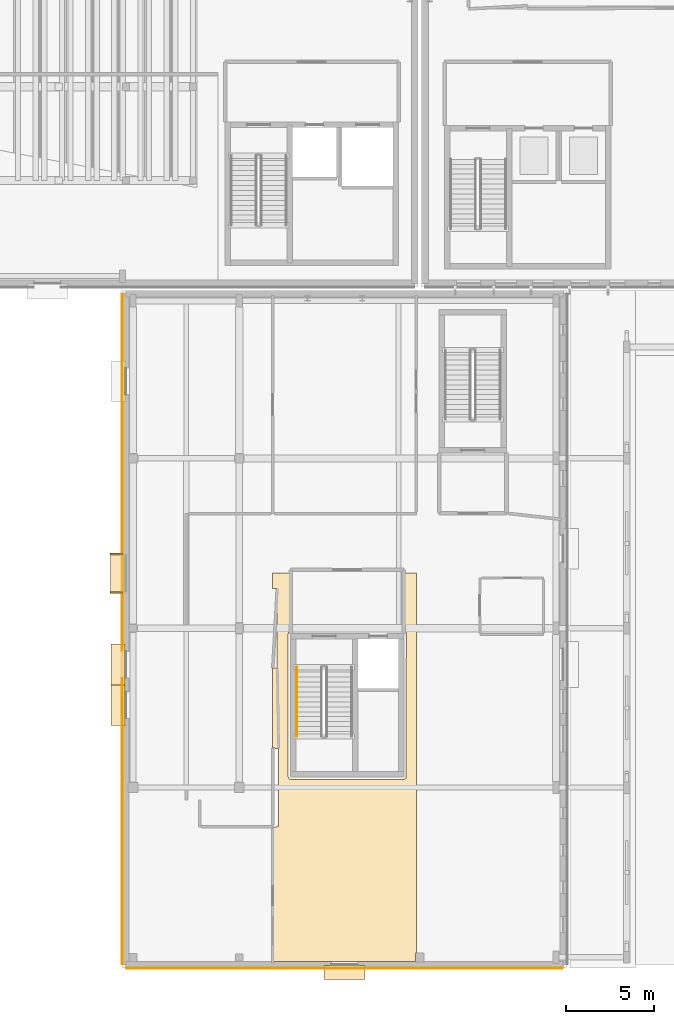
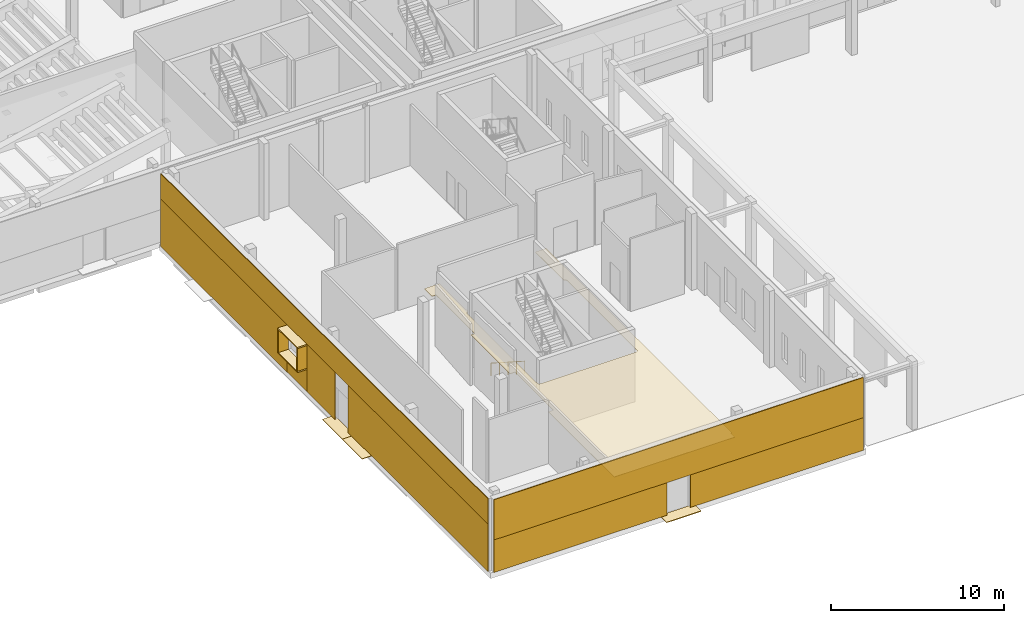
# One storey, part 57 of 84: 16 coverings, 1 railing.
"""IFC4 building model written with IfcOpenShell, lengths in metres."""

from ifc_helpers import new_model, si_unit, direction, frame, origin, origin_2d, place, context, subcontext, project, spatial, polyline, rectangle, circle, outline, extrude, material, layer, layer_set, type_object, element, save


model = new_model("IFC4")

# Units and contexts
model_context = context("Model", 3, precision=1e-05, world=origin(), true_north=direction((0.0, 1.0)))
body_context = subcontext(model_context, "Body", "Model", "MODEL_VIEW")
ifc_project = project(units=[si_unit("LENGTHUNIT", "METRE"), si_unit("AREAUNIT", "SQUARE_METRE"), si_unit("VOLUMEUNIT", "CUBIC_METRE"), si_unit("PLANEANGLEUNIT", "RADIAN"), si_unit("MASSUNIT", "GRAM", prefix="KILO")], contexts=[model_context])

# Site, building, storey
site_placement = place(None, origin())
site = spatial("IfcSite", under=ifc_project, at=site_placement, CompositionType="ELEMENT")
building_placement = place(site_placement, origin())
building = spatial("IfcBuilding", under=site, at=building_placement, Name="Mzevani Central Library", CompositionType="ELEMENT")
storey_placement = place(building_placement, origin())
storey = spatial("IfcBuildingStorey", under=building, at=storey_placement, Name="L00", CompositionType="ELEMENT", Elevation=0.0)

# Coverings
ifc_material_1 = material(Name="Limestone ashlar cladding", Category="masonry")
ifc_layer_1 = layer(ifc_material_1, 0.050048828125, Name="Limestone Ashlar Spandrel Cladding")
ifc_layer_set_1 = layer_set([ifc_layer_1], Name="Limestone ashlar cladding")
covering_type_1 = type_object("IfcCoveringType", Name="Limestone Ashlar Spandrel Cladding", PredefinedType="CLADDING", material=ifc_layer_set_1)
covering_1_placement = place(storey_placement, frame((41.75, 3.97607421875, 2.2998046875), z_axis=(0.0, 0.0, 1.0), x_axis=(-1.0, 0.0, 0.0)))
element("IfcCovering", 1, at=covering_1_placement, inside=storey, type_object=covering_type_1, Name="L00 Warm-White Facade Spandrel (EW4-V4-L00-0072)", PredefinedType="CLADDING", context=body_context, shape_type="SweptSolid", body=[
    extrude(rectangle(XDim=24.679931640625, YDim=0.050048828125, at=origin_2d()), origin(), (0.0, 0.0, 1.0), 2.840087890625),
])
for number, where, z_axis, x_axis, name in (
    (2, (48.304931640625, 3.97607421875, 0.0), (0.0, 0.0, 1.0), (-1.0, 0.0, 0.0), "L00 Warm-White Facade Pier 1 (EW4-V4-L00-0072)"),
    (3, (35.195068359375, 3.97607421875, 0.0), (0.0, 0.0, 1.0), (-1.0, 0.0, 0.0), "L00 Warm-White Facade Pier 2 (EW4-V4-L00-0072)"),
):
    element("IfcCovering", number, at=place(storey_placement, frame(where, z_axis=z_axis, x_axis=x_axis)), inside=storey, type_object=covering_type_1, Name=name, PredefinedType="CLADDING", context=body_context, shape_type="SweptSolid", body=[
        extrude(rectangle(XDim=11.570068359375, YDim=0.050048828125, at=origin_2d()), origin(), (0.0, 0.0, 1.0), 2.300048828125),
    ])
for number, where, z_axis, x_axis, name in (
    (4, (28.862060546875, 26.308349609375, 3.25), (0.0, 0.0, 1.0), (0.0, 1.0, 0.0), "L00 Deep Window Reveal HD (REV4-0135)"),
    (5, (28.862060546875, 26.308349609375, 1.56005859375), (0.0, 0.0, 1.0), (0.0, 1.0, 0.0), "L00 Deep Window Reveal SL (REV4-0135)"),
):
    element("IfcCovering", number, at=place(storey_placement, frame(where, z_axis=z_axis, x_axis=x_axis)), inside=storey, type_object=covering_type_1, Name=name, PredefinedType="CLADDING", context=body_context, shape_type="SweptSolid", body=[
        extrude(rectangle(XDim=2.280029296875, YDim=0.679931640625, at=origin_2d()), origin(), (0.0, 0.0, 1.0), 0.090087890625),
    ])
for number, where, z_axis, x_axis, name in (
    (6, (28.862060546875, 25.21337890625, 1.64990234375), (0.0, 0.0, 1.0), (0.0, 1.0, 0.0), "L00 Deep Window Reveal JL (REV4-0135)"),
    (7, (28.862060546875, 27.4033203125, 1.64990234375), (0.0, 0.0, 1.0), (0.0, 1.0, 0.0), "L00 Deep Window Reveal JR (REV4-0135)"),
):
    element("IfcCovering", number, at=place(storey_placement, frame(where, z_axis=z_axis, x_axis=x_axis)), inside=storey, type_object=covering_type_1, Name=name, PredefinedType="CLADDING", context=body_context, shape_type="SweptSolid", body=[
        extrude(rectangle(XDim=0.090087890625, YDim=0.679931640625, at=origin_2d()), origin(), (0.0, 0.0, 1.0), 1.60009765625),
    ])
covering_2_placement = place(storey_placement, frame((29.176025390625, 23.14990234375, 3.35009765625), z_axis=(0.0, 0.0, 1.0), x_axis=(0.0, 1.0, 0.0)))
element("IfcCovering", 8, at=covering_2_placement, inside=storey, type_object=covering_type_1, Name="L00 Warm-White Facade Spandrel (EW4-V4-L00-0073)", PredefinedType="CLADDING", context=body_context, shape_type="SweptSolid", body=[
    extrude(rectangle(XDim=37.8798828125, YDim=0.050048828125, at=origin_2d()), origin(), (0.0, 0.0, 1.0), 1.7900390625),
])
covering_3_placement = place(storey_placement, frame((29.176025390625, 12.294921875, 0.0), z_axis=(0.0, 0.0, 1.0), x_axis=(0.0, 1.0, 0.0)))
element("IfcCovering", 9, at=covering_3_placement, inside=storey, type_object=covering_type_1, Name="L00 Warm-White Facade Pier 1 (EW4-V4-L00-0073)", PredefinedType="CLADDING", context=body_context, shape_type="SweptSolid", body=[
    extrude(rectangle(XDim=16.169921875, YDim=0.050048828125, at=origin_2d()), origin(), (0.0, 0.0, 1.0), 3.35009765625),
])
covering_4_placement = place(storey_placement, frame((29.176025390625, 23.529296875, 0.0), z_axis=(0.0, 0.0, 1.0), x_axis=(0.0, 1.0, 0.0)))
element("IfcCovering", 10, at=covering_4_placement, inside=storey, type_object=covering_type_1, Name="L00 Warm-White Facade Pier 2 (EW4-V4-L00-0073)", PredefinedType="CLADDING", context=body_context, shape_type="SweptSolid", body=[
    extrude(rectangle(XDim=3.218505859375, YDim=0.050048828125, at=origin_2d()), origin(), (0.0, 0.0, 1.0), 3.35009765625),
])
covering_5_placement = place(storey_placement, frame((29.176025390625, 26.308349609375, 0.0), z_axis=(0.0, 0.0, 1.0), x_axis=(0.0, 1.0, 0.0)))
element("IfcCovering", 11, at=covering_5_placement, inside=storey, type_object=covering_type_1, Name="L00 Warm-White Sill Cladding 3 (EW4-V4-L00-0073)", PredefinedType="CLADDING", context=body_context, shape_type="SweptSolid", body=[
    extrude(rectangle(XDim=2.300048828125, YDim=0.050048828125, at=origin_2d()), origin(), (0.0, 0.0, 1.0), 1.550048828125),
])
covering_6_placement = place(storey_placement, frame((29.176025390625, 34.7841796875, 0.0), z_axis=(0.0, 0.0, 1.0), x_axis=(0.0, 1.0, 0.0)))
element("IfcCovering", 12, at=covering_6_placement, inside=storey, type_object=covering_type_1, Name="L00 Warm-White Facade Pier 4 (EW4-V4-L00-0073)", PredefinedType="CLADDING", context=body_context, shape_type="SweptSolid", body=[
    extrude(rectangle(XDim=14.611572265625, YDim=0.050048828125, at=origin_2d()), origin(), (0.0, 0.0, 1.0), 3.35009765625),
])
ifc_material_2 = material(Name="Mineral wool acoustic ceiling")
ifc_layer_2 = layer(ifc_material_2, 0.0400390625, Name="Perforated Timber Acoustic Ceiling")
ifc_layer_set_2 = layer_set([ifc_layer_2], Name="Mineral wool acoustic ceiling")
covering_type_2 = type_object("IfcCoveringType", Name="Perforated Timber Acoustic Ceiling", PredefinedType="CEILING", material=ifc_layer_set_2)
covering_7_placement = place(storey_placement, frame((0.0, 0.0, 3.550048828125)))
element("IfcCovering", 13, at=covering_7_placement, inside=storey, type_object=covering_type_2, Name="L00 Community Meeting Room Acoustic Ceiling", PredefinedType="CEILING", context=body_context, shape_type="SweptSolid", body=[
    extrude(outline(polyline([(37.6845703125, 16.42041015625), (37.683349609375, 20.949951171875), (37.93994140625, 20.9599609375), (37.93994140625, 25.43994140625), (37.68359375, 25.447021484375), (37.683349609375, 26.321044921875), (38.700927734375, 26.330078125), (38.7099609375, 23.050048828125), (38.6015625, 22.998291015625), (38.56005859375, 22.89794921875), (38.56005859375, 14.802001953125), (38.6015625, 14.70166015625), (38.701904296875, 14.659912109375), (45.097412109375, 14.659912109375), (45.214599609375, 14.72265625), (45.239990234375, 22.89794921875), (45.198486328125, 22.998291015625), (45.090087890625, 23.050048828125), (45.090087890625, 26.321044921875), (45.81298828125, 26.32763671875), (45.816650390625, 4.85009765625), (45.75, 4.85009765625), (45.75, 4.3701171875), (37.68505859375, 4.37451171875), (37.683349609375, 11.97509765625), (38.014892578125, 11.985107421875), (38.014892578125, 16.4150390625), (37.6845703125, 16.42041015625)])), origin(), (0.0, 0.0, 1.0), 0.0400390625),
])

# Railing
ifc_material_3 = material(Name="Brushed stainless steel rail", Category="steel")
railing_type = type_object("IfcRailingType", Name="Stair Wall Handrail 920", PredefinedType="HANDRAIL", material=ifc_material_3)
railing_placement = place(storey_placement, frame((39.050048828125, 21.0, 0.179931640625)))
element("IfcRailing", 14, at=railing_placement, inside=storey, type_object=railing_type, Name="L00 ST-07 stair handrail 1", PredefinedType="HANDRAIL", context=body_context, shape_type="SweptSolid", body=[
    extrude(circle(Radius=0.02392578125, at=origin_2d()), frame((0.0, 0.0, 0.89599609375), z_axis=(0.0, -0.841171666519, 0.540768182723), x_axis=(1.0, 0.0, 0.0)), (0.0, 0.0, 1.0), 4.66015625),
    extrude(circle(Radius=0.02099609375, at=origin_2d()), origin(), (0.0, 0.0, 1.0), 0.871826171875),
    extrude(circle(Radius=0.02099609375, at=origin_2d()), frame((0.0, -0.97998046875, 0.6298828125)), (0.0, 0.0, 1.0), 0.871826171875),
    extrude(circle(Radius=0.02099609375, at=origin_2d()), frame((0.0, -1.9599609375, 1.260009765625)), (0.0, 0.0, 1.0), 0.871826171875),
    extrude(circle(Radius=0.02099609375, at=origin_2d()), frame((0.0, -2.93994140625, 1.89013671875)), (0.0, 0.0, 1.0), 0.871826171875),
    extrude(circle(Radius=0.02099609375, at=origin_2d()), frame((0.0, -3.919921875, 2.52001953125)), (0.0, 0.0, 1.0), 0.871826171875),
])

# Coverings
ifc_material_4 = material(Name="Terrazzo stone flooring", Category="masonry")
ifc_layer_3 = layer(ifc_material_4, 0.030029296875, Name="Terrazzo Stone Floor Finish")
ifc_layer_set_3 = layer_set([ifc_layer_3], Name="Terrazzo stone flooring")
covering_type_3 = type_object("IfcCoveringType", Name="Terrazzo Stone Floor Finish", PredefinedType="FLOORING", material=ifc_layer_set_3)
for number, where, z_axis, x_axis, name in (
    (15, (41.75, 3.739990234375, -0.0400390625), (0.0, 0.0, 1.0), (-1.0, 0.0, 0.0), "L00 V4 Exterior Entrance Threshold Apron (25)"),
    (16, (28.93994140625, 21.14990234375, -0.0400390625), (0.0, 0.0, 1.0), (0.0, 1.0, 0.0), "L00 V4 Exterior Entrance Threshold Apron (26)"),
    (17, (28.93994140625, 18.85009765625, -0.0400390625), (0.0, 0.0, 1.0), (0.0, 1.0, 0.0), "L00 ST-07 Final Exit Discharge Apron"),
):
    element("IfcCovering", number, at=place(storey_placement, frame(where, z_axis=z_axis, x_axis=x_axis)), inside=storey, type_object=covering_type_3, Name=name, PredefinedType="FLOORING", context=body_context, shape_type="SweptSolid", body=[
        extrude(rectangle(XDim=2.300048828125, YDim=0.800048828125, at=origin_2d()), origin(), (0.0, 0.0, 1.0), 0.0400390625),
    ])

save(model, "model.ifc")
